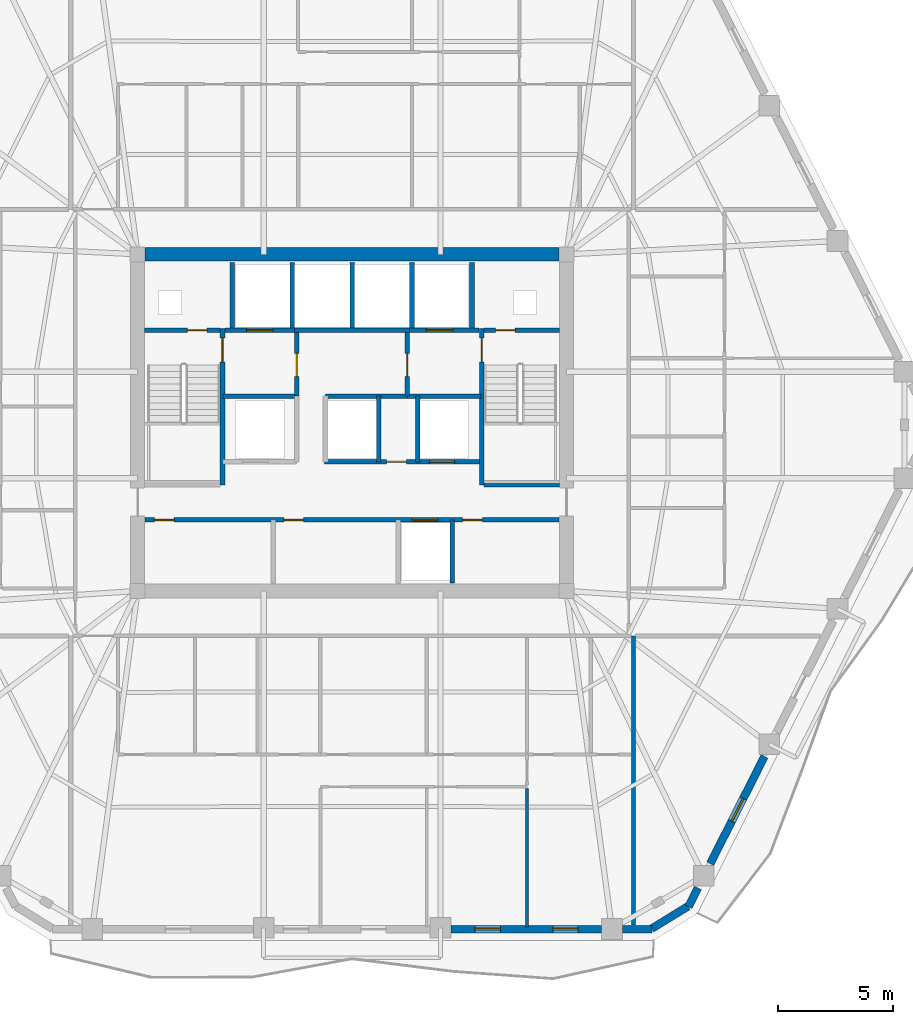
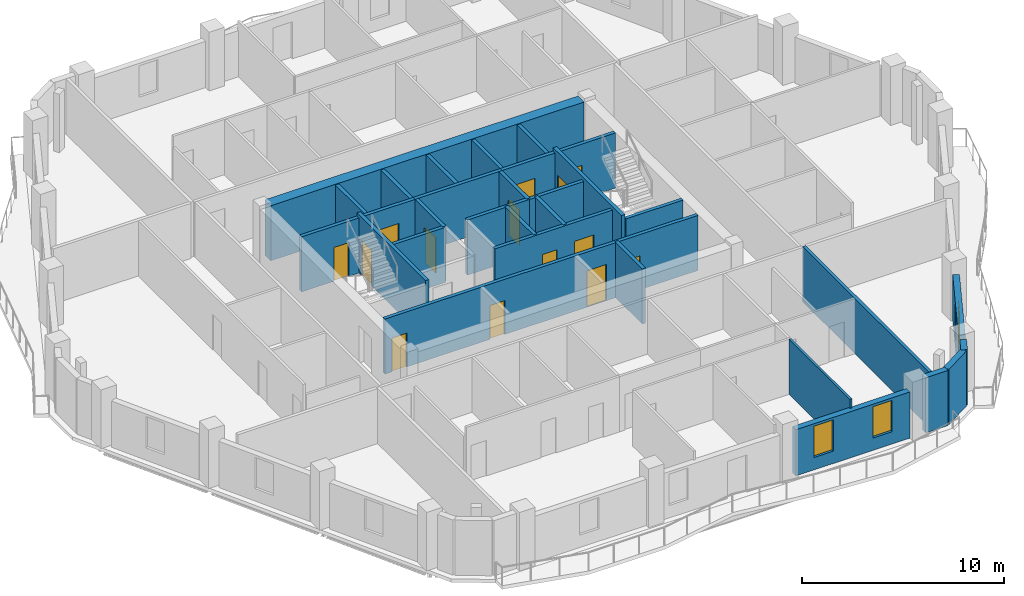
# One storey, part 5 of 10: 31 walls, 14 doors, 3 windows, 17 openings.
"""IFC4 building model written with IfcOpenShell, lengths in metres."""

from ifc_helpers import new_model, si_unit, direction, frame, frame_2d, origin, place, context, subcontext, project, spatial, rectangle, extrude, material, layer, layer_set, type_object, element, fill, save


model = new_model("IFC4")

# Units and contexts
model_context = context("Model", 3, precision=1e-05, world=origin(), true_north=direction((0.0, 1.0)))
body_context = subcontext(model_context, "Body", "Model", "MODEL_VIEW")
ifc_project = project(units=[si_unit("LENGTHUNIT", "METRE"), si_unit("AREAUNIT", "SQUARE_METRE"), si_unit("VOLUMEUNIT", "CUBIC_METRE"), si_unit("PLANEANGLEUNIT", "RADIAN"), si_unit("MASSUNIT", "GRAM", prefix="KILO")], contexts=[model_context])

# Site, building, storey
site_placement = place(None, origin())
site = spatial("IfcSite", under=ifc_project, at=site_placement, CompositionType="ELEMENT")
building_placement = place(site_placement, origin())
building = spatial("IfcBuilding", under=site, at=building_placement, Name="Cinnabar Lancet Tower", CompositionType="ELEMENT")
storey_placement = place(building_placement, frame((0.0, 0.0, 160.60009765625)))
storey = spatial("IfcBuildingStorey", under=building, at=storey_placement, Name="L42", CompositionType="ELEMENT", Elevation=160.60009765625)

# Walls
ifc_material_1 = material(Name="Fire-rated twin-frame acoustic drywall", Category="gypsum")
ifc_layer_1 = layer(ifc_material_1, 0.179931640625)
ifc_layer_set_1 = layer_set([ifc_layer_1], Name="Fire-rated twin-frame acoustic drywall")
wall_type_1 = type_object("IfcWallType", Name="ARC-WL-PARTY-180", PredefinedType="PARTITIONING", material=ifc_layer_set_1)
wall_1_placement = place(storey_placement, frame((44.60009765625, 4.10498046875, 0.0), z_axis=(0.0, 0.0, 1.0), x_axis=(0.0, 1.0, 0.0)))
element("IfcWall", 1, at=wall_1_placement, inside=storey, type_object=wall_type_1, Name="PW-L42-SPTY-446", PredefinedType="PARTITIONING", context=body_context, shape_type="SweptSolid", body=[
    extrude(rectangle(XDim=12.544921875, YDim=0.179931640625, at=frame_2d((6.2724609375, 0.0))), origin(), (0.0, 0.0, 1.0), 3.33984375),
])
ifc_material_2 = material(Name="Autoclaved aerated concrete blockwork", Category="masonry")
ifc_layer_2 = layer(ifc_material_2, 0.199951171875)
ifc_layer_set_2 = layer_set([ifc_layer_2], Name="Autoclaved aerated concrete blockwork")
wall_type_2 = type_object("IfcWallType", Name="ARC-WL-SHAFT-200", PredefinedType="PLUMBINGWALL", material=ifc_layer_set_2)
wall_2_placement = place(storey_placement, frame((38.125, 23.199951171875, 0.0), z_axis=(0.0, 0.0, 1.0), x_axis=(1.0, 0.0, 0.0)))
element("IfcWall", 2, at=wall_2_placement, inside=storey, type_object=wall_type_2, Name="CW-ST2S-L42", PredefinedType="PLUMBINGWALL", context=body_context, shape_type="SweptSolid", body=[
    extrude(rectangle(XDim=3.27001953125, YDim=0.199951171875, at=frame_2d((1.635009765625, 0.0))), origin(), (0.0, 0.0, 1.0), 3.33984375),
])

# Wall, opening, door
wall_3_placement = place(storey_placement, frame((23.405029296875, 29.89990234375, 0.0), z_axis=(0.0, 0.0, 1.0), x_axis=(1.0, 0.0, 0.0)))
wall_3 = element("IfcWall", 3, at=wall_3_placement, inside=storey, type_object=wall_type_2, Name="CW-NSH-W-L42", PredefinedType="PLUMBINGWALL", context=body_context, shape_type="SweptSolid", body=[
    extrude(rectangle(XDim=3.27001953125, YDim=0.199951171875, at=frame_2d((1.635009765625, 0.0))), origin(), (0.0, 0.0, 1.0), 3.33984375),
])
opening_1_placement = place(wall_3_placement, frame((1.85009765625, 0.0, 0.0)))
opening_1 = element("IfcOpeningElement", 4, at=opening_1_placement, cuts=wall_3, Name="Opening PD-02", PredefinedType="OPENING", context=body_context, shape_type="SweptSolid", body=[
    extrude(rectangle(XDim=0.85009765625, YDim=2.050048828125, at=frame_2d((0.425048828125, 1.02490234375))), frame((0.0, 0.10986328125, 0.0), z_axis=(0.0, -1.0, 0.0), x_axis=(1.0, 0.0, 0.0)), (0.0, 0.0, 1.0), 0.219970703125),
])
ifc_material_3 = material(Name="Fire-rated steel riser access door", Category="steel")
door_type_1 = type_object("IfcDoorType", Name="ARC-DR-RISER", OperationType="NOTDEFINED", PredefinedType="DOOR", material=ifc_material_3)
door_1_placement = place(opening_1_placement, origin())
door_1 = element("IfcDoor", 5, at=door_1_placement, inside=storey, type_object=door_type_1, Name="L42 West Riser Access Door", OperationType="SINGLE_SWING_LEFT", OverallHeight=2.050048828125, OverallWidth=0.85009765625, PredefinedType="DOOR", context=body_context, shape_type="SweptSolid", body=[
    extrude(rectangle(XDim=0.85009765625, YDim=2.050048828125, at=frame_2d((0.425048828125, 1.02490234375))), frame((0.0, 0.02490234375, 0.0), z_axis=(0.0, -1.0, 0.0), x_axis=(1.0, 0.0, 0.0)), (0.0, 0.0, 1.0), 0.050048828125),
])
fill(opening_1, door_1)

wall_4_placement = place(storey_placement, frame((26.885009765625, 29.89990234375, 0.0), z_axis=(0.0, 0.0, 1.0), x_axis=(1.0, 0.0, 0.0)))
wall_4 = element("IfcWall", 6, at=wall_4_placement, inside=storey, type_object=wall_type_2, Name="CW-FL1-L42", PredefinedType="PLUMBINGWALL", context=body_context, shape_type="SweptSolid", body=[
    extrude(rectangle(XDim=3.014892578125, YDim=0.199951171875, at=frame_2d((1.50732421875, 0.0))), origin(), (0.0, 0.0, 1.0), 3.33984375),
])
opening_2_placement = place(wall_4_placement, frame((0.93994140625, 0.0, 0.0)))
opening_2 = element("IfcOpeningElement", 7, at=opening_2_placement, cuts=wall_4, Name="Opening LD-02", PredefinedType="OPENING", context=body_context, shape_type="SweptSolid", body=[
    extrude(rectangle(XDim=1.14990234375, YDim=2.199951171875, at=frame_2d((0.574951171875, 1.10009765625))), frame((0.0, 0.10986328125, 0.0), z_axis=(0.0, -1.0, 0.0), x_axis=(1.0, 0.0, 0.0)), (0.0, 0.0, 1.0), 0.219970703125),
])
ifc_material_4 = material(Name="Fire-rated stainless steel firefighting lift landing door", Category="steel")
door_type_2 = type_object("IfcDoorType", Name="ARC-DR-LD-FIRE", OperationType="NOTDEFINED", PredefinedType="DOOR", material=ifc_material_4)
door_2_placement = place(opening_2_placement, origin())
door_2 = element("IfcDoor", 8, at=door_2_placement, inside=storey, type_object=door_type_2, Name="L42 Firefighting Lift FL-1 Landing Door", OperationType="DOUBLE_DOOR_SLIDING", OverallHeight=2.199951171875, OverallWidth=1.14990234375, PredefinedType="DOOR", context=body_context, shape_type="SweptSolid", body=[
    extrude(rectangle(XDim=1.14990234375, YDim=2.199951171875, at=frame_2d((0.574951171875, 1.10009765625))), frame((0.0, 0.02490234375, 0.0), z_axis=(0.0, -1.0, 0.0), x_axis=(1.0, 0.0, 0.0)), (0.0, 0.0, 1.0), 0.050048828125),
])
fill(opening_2, door_2)

# Wall
wall_5_placement = place(storey_placement, frame((29.89990234375, 29.89990234375, 0.0), z_axis=(0.0, 0.0, 1.0), x_axis=(1.0, 0.0, 0.0)))
element("IfcWall", 9, at=wall_5_placement, inside=storey, type_object=wall_type_2, Name="CW-PL78-L42", PredefinedType="PLUMBINGWALL", context=body_context, shape_type="SweptSolid", body=[
    extrude(rectangle(XDim=5.0, YDim=0.199951171875, at=frame_2d((2.5, 0.0))), origin(), (0.0, 0.0, 1.0), 3.33984375),
])

# Wall, opening, door
wall_6_placement = place(storey_placement, frame((34.89990234375, 29.89990234375, 0.0), z_axis=(0.0, 0.0, 1.0), x_axis=(1.0, 0.0, 0.0)))
wall_6 = element("IfcWall", 10, at=wall_6_placement, inside=storey, type_object=wall_type_2, Name="CW-FL2-L42", PredefinedType="PLUMBINGWALL", context=body_context, shape_type="SweptSolid", body=[
    extrude(rectangle(XDim=3.01513671875, YDim=0.199951171875, at=frame_2d((1.507568359375, 0.0))), origin(), (0.0, 0.0, 1.0), 3.33984375),
])
opening_3_placement = place(wall_6_placement, frame((0.72509765625, 0.0, 0.0)))
opening_3 = element("IfcOpeningElement", 11, at=opening_3_placement, cuts=wall_6, Name="Opening LD-02", PredefinedType="OPENING", context=body_context, shape_type="SweptSolid", body=[
    extrude(rectangle(XDim=1.14990234375, YDim=2.199951171875, at=frame_2d((0.574951171875, 1.10009765625))), frame((0.0, 0.10986328125, 0.0), z_axis=(0.0, -1.0, 0.0), x_axis=(1.0, 0.0, 0.0)), (0.0, 0.0, 1.0), 0.219970703125),
])
door_3_placement = place(opening_3_placement, origin())
door_3 = element("IfcDoor", 12, at=door_3_placement, inside=storey, type_object=door_type_2, Name="L42 Firefighting Lift FL-2 Landing Door", OperationType="DOUBLE_DOOR_SLIDING", OverallHeight=2.199951171875, OverallWidth=1.14990234375, PredefinedType="DOOR", context=body_context, shape_type="SweptSolid", body=[
    extrude(rectangle(XDim=1.14990234375, YDim=2.199951171875, at=frame_2d((0.574951171875, 1.10009765625))), frame((0.0, 0.02490234375, 0.0), z_axis=(0.0, -1.0, 0.0), x_axis=(1.0, 0.0, 0.0)), (0.0, 0.0, 1.0), 0.050048828125),
])
fill(opening_3, door_3)

wall_7_placement = place(storey_placement, frame((38.125, 29.89990234375, 0.0), z_axis=(0.0, 0.0, 1.0), x_axis=(1.0, 0.0, 0.0)))
wall_7 = element("IfcWall", 13, at=wall_7_placement, inside=storey, type_object=wall_type_2, Name="CW-NSH-E-L42", PredefinedType="PLUMBINGWALL", context=body_context, shape_type="SweptSolid", body=[
    extrude(rectangle(XDim=3.27001953125, YDim=0.199951171875, at=frame_2d((1.635009765625, 0.0))), origin(), (0.0, 0.0, 1.0), 3.33984375),
])
opening_4_placement = place(wall_7_placement, frame((0.5, 0.0, 0.0)))
opening_4 = element("IfcOpeningElement", 14, at=opening_4_placement, cuts=wall_7, Name="Opening PD-02", PredefinedType="OPENING", context=body_context, shape_type="SweptSolid", body=[
    extrude(rectangle(XDim=0.85009765625, YDim=2.050048828125, at=frame_2d((0.425048828125, 1.02490234375))), frame((0.0, 0.10986328125, 0.0), z_axis=(0.0, -1.0, 0.0), x_axis=(1.0, 0.0, 0.0)), (0.0, 0.0, 1.0), 0.219970703125),
])
door_4_placement = place(opening_4_placement, origin())
door_4 = element("IfcDoor", 15, at=door_4_placement, inside=storey, type_object=door_type_1, Name="L42 East Riser Access Door", OperationType="SINGLE_SWING_RIGHT", OverallHeight=2.050048828125, OverallWidth=0.85009765625, PredefinedType="DOOR", context=body_context, shape_type="SweptSolid", body=[
    extrude(rectangle(XDim=0.85009765625, YDim=2.050048828125, at=frame_2d((0.425048828125, 1.02490234375))), frame((0.0, 0.02490234375, 0.0), z_axis=(0.0, -1.0, 0.0), x_axis=(1.0, 0.0, 0.0)), (0.0, 0.0, 1.0), 0.050048828125),
])
fill(opening_4, door_4)

# Walls
for number, where, z_axis, x_axis, name in (
    (16, (27.199951171875, 30.0, 0.0), (0.0, 0.0, 1.0), (0.0, 1.0, 0.0), "CW-NSH-D1-L42"),
    (17, (29.800048828125, 30.0, 0.0), (0.0, 0.0, 1.0), (0.0, 1.0, 0.0), "CW-NSH-D2-L42"),
    (18, (32.39990234375, 30.0, 0.0), (0.0, 0.0, 1.0), (0.0, 1.0, 0.0), "CW-NSH-D3-L42"),
    (19, (35.0, 30.0, 0.0), (0.0, 0.0, 1.0), (0.0, 1.0, 0.0), "CW-NSH-D4-L42"),
    (20, (37.60009765625, 30.0, 0.0), (0.0, 0.0, 1.0), (0.0, 1.0, 0.0), "CW-NSH-D5-L42"),
):
    element("IfcWall", number, at=place(storey_placement, frame(where, z_axis=z_axis, x_axis=x_axis)), inside=storey, type_object=wall_type_2, Name=name, PredefinedType="PLUMBINGWALL", context=body_context, shape_type="SweptSolid", body=[
        extrude(rectangle(XDim=2.85009765625, YDim=0.199951171875, at=frame_2d((1.425048828125, 0.0))), origin(), (0.0, 0.0, 1.0), 3.33984375),
    ])

# Wall, opening, door
wall_8_placement = place(storey_placement, frame((30.0, 27.050048828125, 0.0), z_axis=(0.0, 0.0, 1.0), x_axis=(0.0, 1.0, 0.0)))
wall_8 = element("IfcWall", 21, at=wall_8_placement, inside=storey, type_object=wall_type_2, Name="CW-FF1E-L42", PredefinedType="PLUMBINGWALL", context=body_context, shape_type="SweptSolid", body=[
    extrude(rectangle(XDim=2.75, YDim=0.199951171875, at=frame_2d((1.375, 0.0))), origin(), (0.0, 0.0, 1.0), 3.33984375),
])
opening_5_placement = place(wall_8_placement, frame((0.85009765625, 0.0, 0.0)))
opening_5 = element("IfcOpeningElement", 22, at=opening_5_placement, cuts=wall_8, Name="Opening FD-01", PredefinedType="OPENING", context=body_context, shape_type="SweptSolid", body=[
    extrude(rectangle(XDim=1.0, YDim=2.14990234375, at=frame_2d((0.5, 1.074951171875))), frame((0.0, 0.10986328125, 0.0), z_axis=(0.0, -1.0, 0.0), x_axis=(1.0, 0.0, 0.0)), (0.0, 0.0, 1.0), 0.219970703125),
])
ifc_material_5 = material(Name="Fire-rated timber-core lobby door", Category="wood")
door_type_3 = type_object("IfcDoorType", Name="ARC-DR-FFAL", OperationType="NOTDEFINED", PredefinedType="DOOR", material=ifc_material_5)
door_5_placement = place(opening_5_placement, origin())
door_5 = element("IfcDoor", 23, at=door_5_placement, inside=storey, type_object=door_type_3, Name="L42 FFAL-1 Lobby Fire Door", OperationType="SINGLE_SWING_RIGHT", OverallHeight=2.14990234375, OverallWidth=1.0, PredefinedType="DOOR", context=body_context, shape_type="SweptSolid", body=[
    extrude(rectangle(XDim=1.0, YDim=2.14990234375, at=frame_2d((0.5, 1.074951171875))), frame((0.0, 0.02490234375, 0.0), z_axis=(0.0, -1.0, 0.0), x_axis=(1.0, 0.0, 0.0)), (0.0, 0.0, 1.0), 0.050048828125),
])
fill(opening_5, door_5)

# Wall
wall_9_placement = place(storey_placement, frame((26.800048828125, 27.050048828125, 0.0), z_axis=(0.0, 0.0, 1.0), x_axis=(1.0, 0.0, 0.0)))
element("IfcWall", 24, at=wall_9_placement, inside=storey, type_object=wall_type_2, Name="CW-FF1S-L42", PredefinedType="PLUMBINGWALL", context=body_context, shape_type="SweptSolid", body=[
    extrude(rectangle(XDim=3.199951171875, YDim=0.199951171875, at=frame_2d((1.60009765625, 0.0))), origin(), (0.0, 0.0, 1.0), 3.33984375),
])

# Wall, opening, door
wall_10_placement = place(storey_placement, frame((34.800048828125, 27.050048828125, 0.0), z_axis=(0.0, 0.0, 1.0), x_axis=(0.0, 1.0, 0.0)))
wall_10 = element("IfcWall", 25, at=wall_10_placement, inside=storey, type_object=wall_type_2, Name="CW-FF2W-L42", PredefinedType="PLUMBINGWALL", context=body_context, shape_type="SweptSolid", body=[
    extrude(rectangle(XDim=2.75, YDim=0.199951171875, at=frame_2d((1.375, 0.0))), origin(), (0.0, 0.0, 1.0), 3.33984375),
])
opening_6_placement = place(wall_10_placement, frame((0.85009765625, 0.0, 0.0)))
opening_6 = element("IfcOpeningElement", 26, at=opening_6_placement, cuts=wall_10, Name="Opening FD-01", PredefinedType="OPENING", context=body_context, shape_type="SweptSolid", body=[
    extrude(rectangle(XDim=1.0, YDim=2.14990234375, at=frame_2d((0.5, 1.074951171875))), frame((0.0, 0.10986328125, 0.0), z_axis=(0.0, -1.0, 0.0), x_axis=(1.0, 0.0, 0.0)), (0.0, 0.0, 1.0), 0.219970703125),
])
door_6_placement = place(opening_6_placement, origin())
door_6 = element("IfcDoor", 27, at=door_6_placement, inside=storey, type_object=door_type_3, Name="L42 FFAL-2 Lobby Fire Door", OperationType="SINGLE_SWING_LEFT", OverallHeight=2.14990234375, OverallWidth=1.0, PredefinedType="DOOR", context=body_context, shape_type="SweptSolid", body=[
    extrude(rectangle(XDim=1.0, YDim=2.14990234375, at=frame_2d((0.5, 1.074951171875))), frame((0.0, 0.02490234375, 0.0), z_axis=(0.0, -1.0, 0.0), x_axis=(1.0, 0.0, 0.0)), (0.0, 0.0, 1.0), 0.050048828125),
])
fill(opening_6, door_6)

# Wall
wall_11_placement = place(storey_placement, frame((34.800048828125, 27.050048828125, 0.0), z_axis=(0.0, 0.0, 1.0), x_axis=(1.0, 0.0, 0.0)))
element("IfcWall", 28, at=wall_11_placement, inside=storey, type_object=wall_type_2, Name="CW-FF2S-L42", PredefinedType="PLUMBINGWALL", context=body_context, shape_type="SweptSolid", body=[
    extrude(rectangle(XDim=3.199951171875, YDim=0.199951171875, at=frame_2d((1.60009765625, 0.0))), origin(), (0.0, 0.0, 1.0), 3.33984375),
])

# Wall, openings, doors
wall_12_placement = place(storey_placement, frame((31.199951171875, 24.199951171875, 0.0), z_axis=(0.0, 0.0, 1.0), x_axis=(1.0, 0.0, 0.0)))
wall_12 = element("IfcWall", 29, at=wall_12_placement, inside=storey, type_object=wall_type_2, Name="CW-PL96S-L42", PredefinedType="PLUMBINGWALL", context=body_context, shape_type="SweptSolid", body=[
    extrude(rectangle(XDim=6.800048828125, YDim=0.199951171875, at=frame_2d((3.39990234375, 0.0))), origin(), (0.0, 0.0, 1.0), 3.33984375),
])
opening_7_placement = place(wall_12_placement, frame((2.699951171875, 0.0, 0.0)))
opening_7 = element("IfcOpeningElement", 30, at=opening_7_placement, cuts=wall_12, Name="Opening PD-02", PredefinedType="OPENING", context=body_context, shape_type="SweptSolid", body=[
    extrude(rectangle(XDim=0.85009765625, YDim=2.050048828125, at=frame_2d((0.425048828125, 1.02490234375))), frame((0.0, 0.10986328125, 0.0), z_axis=(0.0, -1.0, 0.0), x_axis=(1.0, 0.0, 0.0)), (0.0, 0.0, 1.0), 0.219970703125),
])
opening_8_placement = place(wall_12_placement, frame((4.550048828125, 0.0, 0.0)))
opening_8 = element("IfcOpeningElement", 31, at=opening_8_placement, cuts=wall_12, Name="Opening LD-01", PredefinedType="OPENING", context=body_context, shape_type="SweptSolid", body=[
    extrude(rectangle(XDim=1.10009765625, YDim=2.199951171875, at=frame_2d((0.550048828125, 1.10009765625))), frame((0.0, 0.10986328125, 0.0), z_axis=(0.0, -1.0, 0.0), x_axis=(1.0, 0.0, 0.0)), (0.0, 0.0, 1.0), 0.219970703125),
])
ifc_material_6 = material(Name="Brushed stainless steel sliding lift door", Category="steel")
door_type_4 = type_object("IfcDoorType", Name="ARC-DR-LD-PASS", OperationType="NOTDEFINED", PredefinedType="DOOR", material=ifc_material_6)
door_7_placement = place(opening_8_placement, origin())
door_7 = element("IfcDoor", 32, at=door_7_placement, inside=storey, type_object=door_type_4, Name="L42 Lift PL-6 Landing Door", OperationType="DOUBLE_DOOR_SLIDING", OverallHeight=2.199951171875, OverallWidth=1.10009765625, PredefinedType="DOOR", context=body_context, shape_type="SweptSolid", body=[
    extrude(rectangle(XDim=1.10009765625, YDim=2.199951171875, at=frame_2d((0.550048828125, 1.10009765625))), frame((0.0, 0.02490234375, 0.0), z_axis=(0.0, -1.0, 0.0), x_axis=(1.0, 0.0, 0.0)), (0.0, 0.0, 1.0), 0.050048828125),
])
fill(opening_8, door_7)
door_8_placement = place(opening_7_placement, origin())
door_8 = element("IfcDoor", 33, at=door_8_placement, inside=storey, type_object=door_type_1, Name="L42 BMS Closet Door", OperationType="SINGLE_SWING_LEFT", OverallHeight=2.050048828125, OverallWidth=0.85009765625, PredefinedType="DOOR", context=body_context, shape_type="SweptSolid", body=[
    extrude(rectangle(XDim=0.85009765625, YDim=2.050048828125, at=frame_2d((0.425048828125, 1.02490234375))), frame((0.0, 0.02490234375, 0.0), z_axis=(0.0, -1.0, 0.0), x_axis=(1.0, 0.0, 0.0)), (0.0, 0.0, 1.0), 0.050048828125),
])
fill(opening_7, door_8)

# Walls
for number, where, z_axis, x_axis, name in (
    (34, (33.550048828125, 24.199951171875, 0.0), (0.0, 0.0, 1.0), (0.0, 1.0, 0.0), "CW-PL9E-L42"),
    (35, (35.25, 24.199951171875, 0.0), (0.0, 0.0, 1.0), (0.0, 1.0, 0.0), "CW-PL6W-L42"),
):
    element("IfcWall", number, at=place(storey_placement, frame(where, z_axis=z_axis, x_axis=x_axis)), inside=storey, type_object=wall_type_2, Name=name, PredefinedType="PLUMBINGWALL", context=body_context, shape_type="SweptSolid", body=[
        extrude(rectangle(XDim=2.85009765625, YDim=0.199951171875, at=frame_2d((1.425048828125, 0.0))), origin(), (0.0, 0.0, 1.0), 3.33984375),
    ])
wall_13_placement = place(storey_placement, frame((31.25, 27.050048828125, 0.0), z_axis=(0.0, 0.0, 1.0), x_axis=(1.0, 0.0, 0.0)))
element("IfcWall", 36, at=wall_13_placement, inside=storey, type_object=wall_type_2, Name="CW-PL96N-L42", PredefinedType="PLUMBINGWALL", context=body_context, shape_type="SweptSolid", body=[
    extrude(rectangle(XDim=3.550048828125, YDim=0.199951171875, at=frame_2d((1.77490234375, 0.0))), origin(), (0.0, 0.0, 1.0), 3.33984375),
])

# Wall, openings, doors
wall_14_placement = place(storey_placement, frame((23.419921875, 21.679931640625, 0.0), z_axis=(0.0, 0.0, 1.0), x_axis=(1.0, 0.0, 0.0)))
wall_14 = element("IfcWall", 37, at=wall_14_placement, inside=storey, type_object=wall_type_2, Name="CW-SBANDN-L42", PredefinedType="PLUMBINGWALL", context=body_context, shape_type="SweptSolid", body=[
    extrude(rectangle(XDim=17.9599609375, YDim=0.199951171875, at=frame_2d((8.97998046875, 0.0))), origin(), (0.0, 0.0, 1.0), 3.33984375),
])
opening_9_placement = place(wall_14_placement, frame((11.60009765625, 0.0, 0.0)))
opening_9 = element("IfcOpeningElement", 38, at=opening_9_placement, cuts=wall_14, Name="Opening LD-01", PredefinedType="OPENING", context=body_context, shape_type="SweptSolid", body=[
    extrude(rectangle(XDim=1.10009765625, YDim=2.199951171875, at=frame_2d((0.550048828125, 1.10009765625))), frame((0.0, 0.10986328125, 0.0), z_axis=(0.0, -1.0, 0.0), x_axis=(1.0, 0.0, 0.0)), (0.0, 0.0, 1.0), 0.219970703125),
])
opening_10_placement = place(wall_14_placement, frame((0.409912109375, 0.0, 0.0)))
opening_10 = element("IfcOpeningElement", 39, at=opening_10_placement, cuts=wall_14, Name="Opening PD-02", PredefinedType="OPENING", context=body_context, shape_type="SweptSolid", body=[
    extrude(rectangle(XDim=0.85009765625, YDim=2.050048828125, at=frame_2d((0.425048828125, 1.02490234375))), frame((0.0, 0.10986328125, 0.0), z_axis=(0.0, -1.0, 0.0), x_axis=(1.0, 0.0, 0.0)), (0.0, 0.0, 1.0), 0.219970703125),
])
opening_11_placement = place(wall_14_placement, frame((6.030029296875, 0.0, 0.0)))
opening_11 = element("IfcOpeningElement", 40, at=opening_11_placement, cuts=wall_14, Name="Opening PD-02", PredefinedType="OPENING", context=body_context, shape_type="SweptSolid", body=[
    extrude(rectangle(XDim=0.85009765625, YDim=2.050048828125, at=frame_2d((0.425048828125, 1.02490234375))), frame((0.0, 0.10986328125, 0.0), z_axis=(0.0, -1.0, 0.0), x_axis=(1.0, 0.0, 0.0)), (0.0, 0.0, 1.0), 0.219970703125),
])
opening_12_placement = place(wall_14_placement, frame((13.780029296875, 0.0, 0.0)))
opening_12 = element("IfcOpeningElement", 41, at=opening_12_placement, cuts=wall_14, Name="Opening PD-02", PredefinedType="OPENING", context=body_context, shape_type="SweptSolid", body=[
    extrude(rectangle(XDim=0.85009765625, YDim=2.050048828125, at=frame_2d((0.425048828125, 1.02490234375))), frame((0.0, 0.10986328125, 0.0), z_axis=(0.0, -1.0, 0.0), x_axis=(1.0, 0.0, 0.0)), (0.0, 0.0, 1.0), 0.219970703125),
])
door_9_placement = place(opening_9_placement, origin())
door_9 = element("IfcDoor", 42, at=door_9_placement, inside=storey, type_object=door_type_4, Name="L42 Lift PL-4 Landing Door", OperationType="DOUBLE_DOOR_SLIDING", OverallHeight=2.199951171875, OverallWidth=1.10009765625, PredefinedType="DOOR", context=body_context, shape_type="SweptSolid", body=[
    extrude(rectangle(XDim=1.10009765625, YDim=2.199951171875, at=frame_2d((0.550048828125, 1.10009765625))), frame((0.0, 0.02490234375, 0.0), z_axis=(0.0, -1.0, 0.0), x_axis=(1.0, 0.0, 0.0)), (0.0, 0.0, 1.0), 0.050048828125),
])
fill(opening_9, door_9)
door_10_placement = place(opening_10_placement, origin())
door_10 = element("IfcDoor", 43, at=door_10_placement, inside=storey, type_object=door_type_1, Name="DR-L42-MREC1", OperationType="SINGLE_SWING_LEFT", OverallHeight=2.050048828125, OverallWidth=0.85009765625, PredefinedType="DOOR", context=body_context, shape_type="SweptSolid", body=[
    extrude(rectangle(XDim=0.85009765625, YDim=2.050048828125, at=frame_2d((0.425048828125, 1.02490234375))), frame((0.0, 0.02490234375, 0.0), z_axis=(0.0, -1.0, 0.0), x_axis=(1.0, 0.0, 0.0)), (0.0, 0.0, 1.0), 0.050048828125),
])
fill(opening_10, door_10)
door_11_placement = place(opening_11_placement, origin())
door_11 = element("IfcDoor", 44, at=door_11_placement, inside=storey, type_object=door_type_1, Name="DR-L42-MREC2", OperationType="SINGLE_SWING_RIGHT", OverallHeight=2.050048828125, OverallWidth=0.85009765625, PredefinedType="DOOR", context=body_context, shape_type="SweptSolid", body=[
    extrude(rectangle(XDim=0.85009765625, YDim=2.050048828125, at=frame_2d((0.425048828125, 1.02490234375))), frame((0.0, 0.02490234375, 0.0), z_axis=(0.0, -1.0, 0.0), x_axis=(1.0, 0.0, 0.0)), (0.0, 0.0, 1.0), 0.050048828125),
])
fill(opening_11, door_11)
door_12_placement = place(opening_12_placement, origin())
door_12 = element("IfcDoor", 45, at=door_12_placement, inside=storey, type_object=door_type_1, Name="DR-L42-MREC3", OperationType="SINGLE_SWING_LEFT", OverallHeight=2.050048828125, OverallWidth=0.85009765625, PredefinedType="DOOR", context=body_context, shape_type="SweptSolid", body=[
    extrude(rectangle(XDim=0.85009765625, YDim=2.050048828125, at=frame_2d((0.425048828125, 1.02490234375))), frame((0.0, 0.02490234375, 0.0), z_axis=(0.0, -1.0, 0.0), x_axis=(1.0, 0.0, 0.0)), (0.0, 0.0, 1.0), 0.050048828125),
])
fill(opening_12, door_12)

# Walls
wall_15_placement = place(storey_placement, frame((36.75, 18.949951171875, 0.0), z_axis=(0.0, 0.0, 1.0), x_axis=(0.0, 1.0, 0.0)))
element("IfcWall", 46, at=wall_15_placement, inside=storey, type_object=wall_type_2, Name="CW-SB-3675-L42", PredefinedType="PLUMBINGWALL", context=body_context, shape_type="SweptSolid", body=[
    extrude(rectangle(XDim=2.72998046875, YDim=0.199951171875, at=frame_2d((1.364990234375, 0.0))), origin(), (0.0, 0.0, 1.0), 3.33984375),
])
ifc_material_7 = material(Name="Gypsum plasterboard stud partition", Category="gypsum")
ifc_layer_3 = layer(ifc_material_7, 0.125)
ifc_layer_set_3 = layer_set([ifc_layer_3], Name="Gypsum plasterboard stud partition")
wall_type_3 = type_object("IfcWallType", Name="ARC-WL-UNIT-125", PredefinedType="PARTITIONING", material=ifc_layer_set_3)
wall_16_placement = place(storey_placement, frame((39.98388671875, 4.014892578125, 0.0), z_axis=(0.0, 0.0, 1.0), x_axis=(0.0, 1.0, 0.0)))
element("IfcWall", 47, at=wall_16_placement, inside=storey, type_object=wall_type_3, Name="UW-L42-S01-B23W", PredefinedType="PARTITIONING", context=body_context, shape_type="SweptSolid", body=[
    extrude(rectangle(XDim=6.027099609375, YDim=0.125, at=frame_2d((3.013671875, 0.0))), origin(), (0.0, 0.0, 1.0), 3.33984375),
])
ifc_material_8 = material(Name="Cinnabar red clay brick", Category="masonry")
ifc_layer_4 = layer(ifc_material_8, 0.340087890625)
ifc_layer_set_4 = layer_set([ifc_layer_4], Name="Cinnabar red clay brick")
wall_type_4 = type_object("IfcWallType", Name="ENV-WL-BRK-RED-340", PredefinedType="STANDARD", material=ifc_layer_set_4)
wall_17_placement = place(storey_placement, frame((45.39697265625, 3.955078125, 0.0), z_axis=(0.0, 0.0, 1.0), x_axis=(0.851798915137, 0.523868884523, 0.0)))
element("IfcWall", 48, at=wall_17_placement, inside=storey, type_object=wall_type_4, Name="L42 Chamfered Corner Brick Pier 2.1", PredefinedType="STANDARD", context=body_context, shape_type="SweptSolid", body=[
    extrude(rectangle(XDim=1.847900390625, YDim=0.340087890625, at=frame_2d((0.923828125, 0.0))), origin(), (0.0, 0.0, 1.0), 3.33984375),
])

# Wall, openings, windows
wall_18_placement = place(storey_placement, frame((36.68603515625, 3.929931640625, 0.0), z_axis=(0.0, 0.0, 1.0), x_axis=(1.0, 0.0, 0.0)))
wall_18 = element("IfcWall", 49, at=wall_18_placement, inside=storey, type_object=wall_type_4, Name="L42 Face 1 Masonry Bay Wall 4", PredefinedType="STANDARD", context=body_context, shape_type="SweptSolid", body=[
    extrude(rectangle(XDim=6.529052734375, YDim=0.340087890625, at=frame_2d((3.2646484375, 0.0))), origin(), (0.0, 0.0, 1.0), 2.796875),
])
opening_13_placement = place(wall_18_placement, frame((1.04296875, 0.0, 0.75)))
opening_13 = element("IfcOpeningElement", 50, at=opening_13_placement, cuts=wall_18, Name="Opening WN-04", PredefinedType="OPENING", context=body_context, shape_type="SweptSolid", body=[
    extrude(rectangle(XDim=1.10009765625, YDim=1.89697265625, at=frame_2d((0.550048828125, 0.948486328125))), frame((0.0, 0.179931640625, 0.0), z_axis=(0.0, -1.0, 0.0), x_axis=(1.0, 0.0, 0.0)), (0.0, 0.0, 1.0), 0.360107421875),
])
opening_14_placement = place(wall_18_placement, frame((4.419921875, 0.0, 0.75)))
opening_14 = element("IfcOpeningElement", 51, at=opening_14_placement, cuts=wall_18, Name="Opening WN-04", PredefinedType="OPENING", context=body_context, shape_type="SweptSolid", body=[
    extrude(rectangle(XDim=1.10009765625, YDim=1.89697265625, at=frame_2d((0.550048828125, 0.948486328125))), frame((0.0, 0.179931640625, 0.0), z_axis=(0.0, -1.0, 0.0), x_axis=(1.0, 0.0, 0.0)), (0.0, 0.0, 1.0), 0.360107421875),
])
ifc_material_9 = material(Name="Thermally broken bronze-anodized aluminium tall lancet window", Category="aluminium")
window_type = type_object("IfcWindowType", Name="ENV-WN-LANCET-1100", PartitioningType="SINGLE_PANEL", PredefinedType="WINDOW", material=ifc_material_9)
window_1_placement = place(opening_13_placement, origin())
window_1 = element("IfcWindow", 52, at=window_1_placement, inside=storey, type_object=window_type, Name="L42 Face 1 Gothic Lancet Window 4", OverallHeight=1.89697265625, OverallWidth=1.10009765625, PartitioningType="SINGLE_PANEL", PredefinedType="WINDOW", context=body_context, shape_type="SweptSolid", body=[
    extrude(rectangle(XDim=1.10009765625, YDim=1.89697265625, at=frame_2d((0.550048828125, 0.948486328125))), frame((0.0, 0.030029296875, 0.0), z_axis=(0.0, -1.0, 0.0), x_axis=(1.0, 0.0, 0.0)), (0.0, 0.0, 1.0), 0.06005859375),
])
fill(opening_13, window_1)
window_2_placement = place(opening_14_placement, origin())
window_2 = element("IfcWindow", 53, at=window_2_placement, inside=storey, type_object=window_type, Name="L42 Split-Bay Gothic Lancet Window 121", OverallHeight=1.89697265625, OverallWidth=1.10009765625, PartitioningType="SINGLE_PANEL", PredefinedType="WINDOW", context=body_context, shape_type="SweptSolid", body=[
    extrude(rectangle(XDim=1.10009765625, YDim=1.89697265625, at=frame_2d((0.550048828125, 0.948486328125))), frame((0.0, 0.030029296875, 0.0), z_axis=(0.0, -1.0, 0.0), x_axis=(1.0, 0.0, 0.0)), (0.0, 0.0, 1.0), 0.06005859375),
])
fill(opening_14, window_2)

# Walls
wall_19_placement = place(storey_placement, frame((44.123046875, 3.929931640625, 0.0), z_axis=(0.0, 0.0, 1.0), x_axis=(1.0, 0.0, 0.0)))
element("IfcWall", 54, at=wall_19_placement, inside=storey, type_object=wall_type_4, Name="L42 Face 1 Masonry Bay Wall 5", PredefinedType="STANDARD", context=body_context, shape_type="SweptSolid", body=[
    extrude(rectangle(XDim=1.279052734375, YDim=0.340087890625, at=frame_2d((0.6396484375, 0.0))), origin(), (0.0, 0.0, 1.0), 3.33984375),
])
wall_20_placement = place(storey_placement, frame((46.990966796875, 4.906982421875, 0.0), z_axis=(0.0, 0.0, 1.0), x_axis=(0.451521436551, 0.892260271633, 0.0)))
element("IfcWall", 55, at=wall_20_placement, inside=storey, type_object=wall_type_4, Name="L42 Face 2 Masonry Bay Wall 1", PredefinedType="STANDARD", context=body_context, shape_type="SweptSolid", body=[
    extrude(rectangle(XDim=0.90576171875, YDim=0.340087890625, at=frame_2d((0.452880859375, 0.0))), origin(), (0.0, 0.0, 1.0), 3.33984375),
])

# Wall, opening, window
wall_21_placement = place(storey_placement, frame((47.93701171875, 6.777099609375, 0.0), z_axis=(0.0, 0.0, 1.0), x_axis=(0.451595734115, 0.892222670038, 0.0)))
wall_21 = element("IfcWall", 56, at=wall_21_placement, inside=storey, type_object=wall_type_4, Name="L42 Face 2 Masonry Bay Wall 2", PredefinedType="STANDARD", context=body_context, shape_type="SweptSolid", body=[
    extrude(rectangle(XDim=5.208251953125, YDim=0.340087890625, at=frame_2d((2.60400390625, 0.0))), origin(), (0.0, 0.0, 1.0), 2.796875),
])
opening_15_placement = place(wall_21_placement, frame((2.053955078125, 0.0, 0.75)))
opening_15 = element("IfcOpeningElement", 57, at=opening_15_placement, cuts=wall_21, Name="Opening WN-04", PredefinedType="OPENING", context=body_context, shape_type="SweptSolid", body=[
    extrude(rectangle(XDim=1.10009765625, YDim=1.89697265625, at=frame_2d((0.550048828125, 0.948486328125))), frame((0.0, 0.179931640625, 0.0), z_axis=(0.0, -1.0, 0.0), x_axis=(1.0, 0.0, 0.0)), (0.0, 0.0, 1.0), 0.360107421875),
])
window_3_placement = place(opening_15_placement, origin())
window_3 = element("IfcWindow", 58, at=window_3_placement, inside=storey, type_object=window_type, Name="L42 Face 2 Gothic Lancet Window 2", OverallHeight=1.89697265625, OverallWidth=1.10009765625, PartitioningType="SINGLE_PANEL", PredefinedType="WINDOW", context=body_context, shape_type="SweptSolid", body=[
    extrude(rectangle(XDim=1.10009765625, YDim=1.89697265625, at=frame_2d((0.550048828125, 0.948486328125))), frame((0.0, 0.030029296875, 0.0), z_axis=(0.0, -1.0, 0.0), x_axis=(1.0, 0.0, 0.0)), (0.0, 0.0, 1.0), 0.06005859375),
])
fill(opening_15, window_3)

# Wall
ifc_material_10 = material(Name="Concrete C60/75", Category="concrete")
ifc_layer_5 = layer(ifc_material_10, 0.60009765625)
ifc_layer_set_5 = layer_set([ifc_layer_5], Name="Concrete C60/75")
wall_type_5 = type_object("IfcWallType", Name="STR-WL-CORE-600", PredefinedType="SHEAR", material=ifc_layer_set_5)
wall_22_placement = place(storey_placement, frame((23.425048828125, 33.199951171875, 0.0), z_axis=(0.0, 0.0, 1.0), x_axis=(1.0, 0.0, 0.0)))
element("IfcWall", 59, at=wall_22_placement, inside=storey, type_object=wall_type_5, Name="L42 Core Shear Wall N", PredefinedType="SHEAR", context=body_context, shape_type="SweptSolid", body=[
    extrude(rectangle(XDim=17.949951171875, YDim=0.60009765625, at=frame_2d((8.97509765625, 0.0))), origin(), (0.0, 0.0, 1.0), 3.33984375),
])

# Wall, opening, door
ifc_material_11 = material(Name="Concrete C50/60", Category="concrete")
ifc_layer_6 = layer(ifc_material_11, 0.199951171875)
ifc_layer_set_6 = layer_set([ifc_layer_6], Name="Concrete C50/60")
wall_type_6 = type_object("IfcWallType", Name="STR-WL-STAIR-200", PredefinedType="SHEAR", material=ifc_layer_set_6)
wall_23_placement = place(storey_placement, frame((26.780029296875, 23.199951171875, 0.0), z_axis=(0.0, 0.0, 1.0), x_axis=(0.0, 1.0, 0.0)))
wall_23 = element("IfcWall", 60, at=wall_23_placement, inside=storey, type_object=wall_type_6, Name="L42 Stair ST-1 Structural Enclosure Wall", PredefinedType="SHEAR", context=body_context, shape_type="SweptSolid", body=[
    extrude(rectangle(XDim=6.780029296875, YDim=0.199951171875, at=frame_2d((3.39013671875, 0.0))), origin(), (0.0, 0.0, 1.0), 3.5498046875),
])
opening_16_placement = place(wall_23_placement, frame((5.320068359375, 0.0, 0.0)))
opening_16 = element("IfcOpeningElement", 61, at=opening_16_placement, cuts=wall_23, Name="Opening SD-01", PredefinedType="OPENING", context=body_context, shape_type="SweptSolid", body=[
    extrude(rectangle(XDim=1.050048828125, YDim=2.14990234375, at=frame_2d((0.52490234375, 1.074951171875))), frame((0.0, 0.10986328125, 0.0), z_axis=(0.0, -1.0, 0.0), x_axis=(1.0, 0.0, 0.0)), (0.0, 0.0, 1.0), 0.219970703125),
])
ifc_material_12 = material(Name="Fire-rated steel stair exit door", Category="steel")
door_type_5 = type_object("IfcDoorType", Name="ARC-DR-STAIR", OperationType="NOTDEFINED", PredefinedType="DOOR", material=ifc_material_12)
door_13_placement = place(opening_16_placement, origin())
door_13 = element("IfcDoor", 62, at=door_13_placement, inside=storey, type_object=door_type_5, Name="L42 Stair ST-1 Fire Door", OperationType="SINGLE_SWING_LEFT", OverallHeight=2.14990234375, OverallWidth=1.050048828125, PredefinedType="DOOR", context=body_context, shape_type="SweptSolid", body=[
    extrude(rectangle(XDim=1.050048828125, YDim=2.14990234375, at=frame_2d((0.52490234375, 1.074951171875))), frame((0.0, 0.02490234375, 0.0), z_axis=(0.0, -1.0, 0.0), x_axis=(1.0, 0.0, 0.0)), (0.0, 0.0, 1.0), 0.050048828125),
])
fill(opening_16, door_13)

wall_24_placement = place(storey_placement, frame((38.02001953125, 23.199951171875, 0.0), z_axis=(0.0, 0.0, 1.0), x_axis=(0.0, 1.0, 0.0)))
wall_24 = element("IfcWall", 63, at=wall_24_placement, inside=storey, type_object=wall_type_6, Name="L42 Stair ST-2 Structural Enclosure Wall", PredefinedType="SHEAR", context=body_context, shape_type="SweptSolid", body=[
    extrude(rectangle(XDim=6.780029296875, YDim=0.199951171875, at=frame_2d((3.39013671875, 0.0))), origin(), (0.0, 0.0, 1.0), 3.5498046875),
])
opening_17_placement = place(wall_24_placement, frame((5.320068359375, 0.0, 0.0)))
opening_17 = element("IfcOpeningElement", 64, at=opening_17_placement, cuts=wall_24, Name="Opening SD-01", PredefinedType="OPENING", context=body_context, shape_type="SweptSolid", body=[
    extrude(rectangle(XDim=1.050048828125, YDim=2.14990234375, at=frame_2d((0.52490234375, 1.074951171875))), frame((0.0, 0.10986328125, 0.0), z_axis=(0.0, -1.0, 0.0), x_axis=(1.0, 0.0, 0.0)), (0.0, 0.0, 1.0), 0.219970703125),
])
door_14_placement = place(opening_17_placement, origin())
door_14 = element("IfcDoor", 65, at=door_14_placement, inside=storey, type_object=door_type_5, Name="L42 Stair ST-2 Fire Door", OperationType="SINGLE_SWING_RIGHT", OverallHeight=2.14990234375, OverallWidth=1.050048828125, PredefinedType="DOOR", context=body_context, shape_type="SweptSolid", body=[
    extrude(rectangle(XDim=1.050048828125, YDim=2.14990234375, at=frame_2d((0.52490234375, 1.074951171875))), frame((0.0, 0.02490234375, 0.0), z_axis=(0.0, -1.0, 0.0), x_axis=(1.0, 0.0, 0.0)), (0.0, 0.0, 1.0), 0.050048828125),
])
fill(opening_17, door_14)

save(model, "model.ifc")
